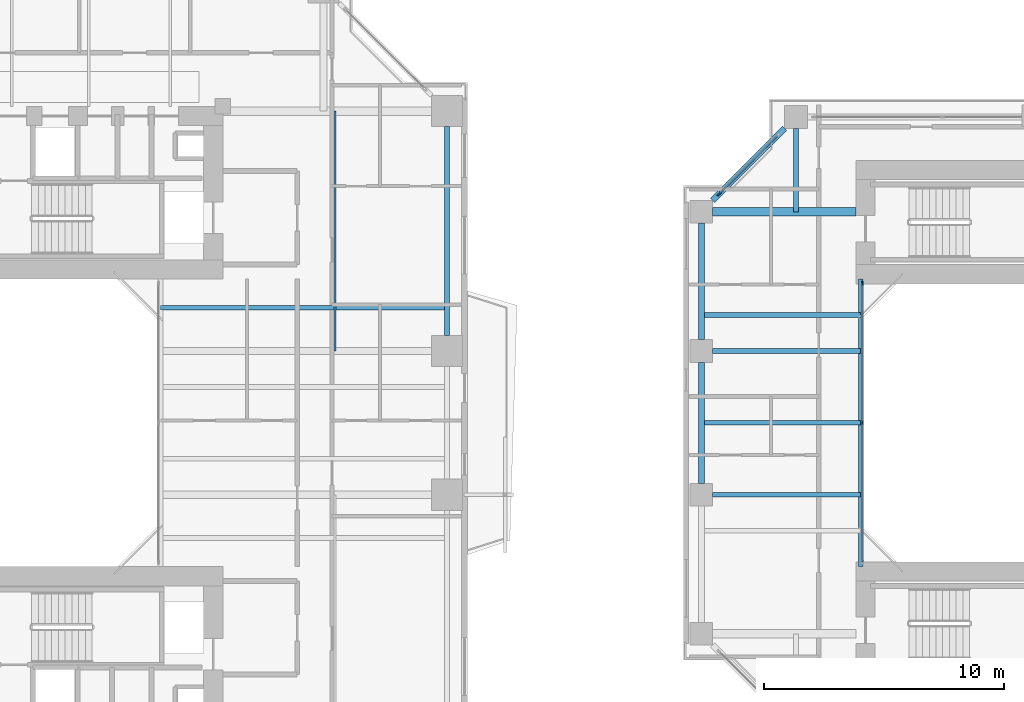
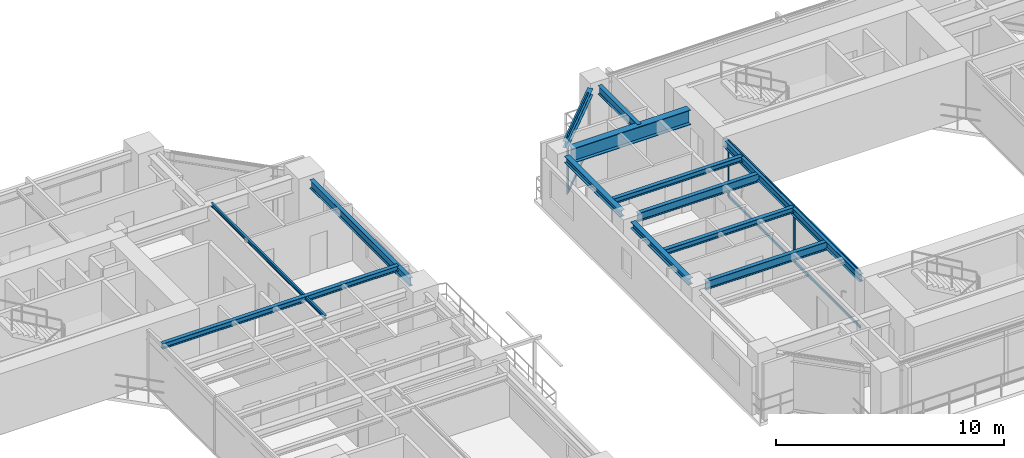
# One storey, part 8 of 24: 13 beams, 9 members, 2 elements without a shape of their own.
"""IFC4 building model written with IfcOpenShell, lengths in metres."""

from ifc_helpers import new_model, si_unit, direction, frame, origin, origin_2d, place, context, subcontext, project, spatial, rectangle, i_section, extrude, source, transform, mapped, material, layer, layer_set, material_profile, profile_set, type_object, element, aggregate, save


model = new_model("IFC4")

# Units and contexts
model_context = context("Model", 3, precision=1e-05, world=origin(), true_north=direction((0.0, 1.0)))
body_context = subcontext(model_context, "Body", "Model", "MODEL_VIEW")
ifc_project = project(units=[si_unit("LENGTHUNIT", "METRE"), si_unit("AREAUNIT", "SQUARE_METRE"), si_unit("VOLUMEUNIT", "CUBIC_METRE"), si_unit("PLANEANGLEUNIT", "RADIAN"), si_unit("MASSUNIT", "GRAM", prefix="KILO"), si_unit("THERMODYNAMICTEMPERATUREUNIT", "KELVIN"), si_unit("POWERUNIT", "WATT")], contexts=[model_context])

# Site, building, storey
site_placement = place(None, origin())
site = spatial("IfcSite", under=ifc_project, at=site_placement, CompositionType="ELEMENT")
building_placement = place(site_placement, origin())
building = spatial("IfcBuilding", under=site, at=building_placement, Name="Qiaomeng Ring Towers", CompositionType="ELEMENT")
storey_placement = place(building_placement, frame((0.0, 0.0, 42.5)))
storey = spatial("IfcBuildingStorey", under=building, at=storey_placement, Name="L11", CompositionType="ELEMENT", Elevation=42.5)

# Beams
ifc_material_1 = material(Name="Steel Q355B", Category="steel")
ifc_material_profile_1 = material_profile(ifc_material_1, i_section(OverallWidth=0.199951171875, OverallDepth=0.449951171875, WebThickness=0.009033203125, FlangeThickness=0.013916015625, FilletRadius=0.01806640625, at=origin_2d()), Name="HN 450x200x9x14")
ifc_profile_set_1 = profile_set([ifc_material_profile_1], Name="Steel Q355B")
beam_type_1 = type_object("IfcBeamType", Name="STR-BM-HN450", PredefinedType="SPANDREL", material=ifc_profile_set_1)
shared_shape_1 = source(origin(), body_context, "Body", "SweptSolid", [
    extrude(i_section(OverallWidth=0.199951171875, OverallDepth=0.449951171875, WebThickness=0.009033203125, FlangeThickness=0.013916015625, FilletRadius=0.01806640625, at=origin_2d()), origin(), (0.0, 0.0, 1.0), 8.7021484375),
])
beam_1_placement = place(storey_placement, frame((37.14990234375, 26.64892578125, 2.804931640625), z_axis=(0.0, 1.0, 0.0), x_axis=(-1.0, 0.0, 0.0)))
element("IfcBeam", 1, at=beam_1_placement, inside=storey, type_object=beam_type_1, Name="L11 beam STR-SP-L11-T1-E3-E4", PredefinedType="SPANDREL", context=body_context, shape_type="MappedRepresentation", body=[
    mapped(shared_shape_1, transform((0.0, 0.0, 0.0), x_axis=(1.0, 0.0, 0.0), y_axis=(0.0, 1.0, 0.0), z_axis=(0.0, 0.0, 1.0), scale=1.0)),
])
ifc_material_profile_2 = material_profile(ifc_material_1, i_section(OverallWidth=0.199951171875, OverallDepth=0.2939453125, WebThickness=0.008056640625, FlangeThickness=0.011962890625, FilletRadius=0.01806640625, at=origin_2d()), Name="HM 294x200x8x12")
ifc_profile_set_2 = profile_set([ifc_material_profile_2], Name="Steel Q355B")
beam_type_2 = type_object("IfcBeamType", Name="STR-BM-HM294", PredefinedType="JOIST", material=ifc_profile_set_2)
shared_shape_2 = source(origin(), body_context, "Body", "SweptSolid", [
    extrude(i_section(OverallWidth=0.199951171875, OverallDepth=0.2939453125, WebThickness=0.008056640625, FlangeThickness=0.011962890625, FilletRadius=0.01806640625, at=origin_2d()), origin(), (0.0, 0.0, 1.0), 11.949951171875),
])
beam_2_placement = place(storey_placement, frame((25.199951171875, 27.800048828125, 2.883056640625), z_axis=(1.0, 0.0, 0.0), x_axis=(0.0, 1.0, 0.0)))
element("IfcBeam", 2, at=beam_2_placement, inside=storey, type_object=beam_type_2, Name="L11 beam STR-JST-L11-T1E-4", PredefinedType="JOIST", context=body_context, shape_type="MappedRepresentation", body=[
    mapped(shared_shape_2, transform((0.0, 0.0, 0.0), x_axis=(1.0, 0.0, 0.0), y_axis=(0.0, 1.0, 0.0), z_axis=(0.0, 0.0, 1.0), scale=1.0)),
])
ifc_material_profile_3 = material_profile(ifc_material_1, i_section(OverallWidth=0.10009765625, OverallDepth=0.199951171875, WebThickness=0.005615234375, FlangeThickness=0.008056640625, FilletRadius=0.010986328125, at=origin_2d()), Name="HN 200x100x5.5x8")
ifc_profile_set_3 = profile_set([ifc_material_profile_3], Name="Steel Q355B")
beam_type_3 = type_object("IfcBeamType", Name="STR-BM-HN200", PredefinedType="JOIST", material=ifc_profile_set_3)
shared_shape_3 = source(origin(), body_context, "Body", "SweptSolid", [
    extrude(i_section(OverallWidth=0.10009765625, OverallDepth=0.199951171875, WebThickness=0.005615234375, FlangeThickness=0.008056640625, FilletRadius=0.010986328125, at=origin_2d()), origin(), (0.0, 0.0, 1.0), 10.0),
])
beam_3_placement = place(storey_placement, frame((32.47509765625, 26.0, 2.929931640625), z_axis=(0.0, 1.0, 0.0), x_axis=(-1.0, 0.0, 0.0)))
element("IfcBeam", 3, at=beam_3_placement, inside=storey, type_object=beam_type_3, Name="L11 beam STR-JST-L11-T1C-EN", PredefinedType="JOIST", context=body_context, shape_type="MappedRepresentation", body=[
    mapped(shared_shape_3, transform((0.0, 0.0, 0.0), x_axis=(1.0, 0.0, 0.0), y_axis=(0.0, 1.0, 0.0), z_axis=(0.0, 0.0, 1.0), scale=1.0)),
])
ifc_material_profile_4 = material_profile(ifc_material_1, i_section(OverallWidth=0.25, OverallDepth=0.340087890625, WebThickness=0.009033203125, FlangeThickness=0.013916015625, FilletRadius=0.02001953125, at=origin_2d()), Name="HM 340x250x9x14")
ifc_profile_set_4 = profile_set([ifc_material_profile_4], Name="Steel Q355B")
beam_type_4 = type_object("IfcBeamType", Name="STR-BM-HM340", PredefinedType="SPANDREL", material=ifc_profile_set_4)
shared_shape_4 = source(origin(), body_context, "Body", "SweptSolid", [
    extrude(i_section(OverallWidth=0.25, OverallDepth=0.340087890625, WebThickness=0.009033203125, FlangeThickness=0.013916015625, FilletRadius=0.02001953125, at=origin_2d()), origin(), (0.0, 0.0, 1.0), 4.244384765625),
])
beam_4_placement = place(storey_placement, frame((51.2255859375, 35.275634765625, 2.860107421875), z_axis=(-0.707106781187, -0.707106781187, 0.0), x_axis=(0.707106781187, -0.707106781187, 0.0)))
element("IfcBeam", 4, at=beam_4_placement, inside=storey, type_object=beam_type_4, Name="L11 beam STR-SP-L11-T2-N1-W4", PredefinedType="SPANDREL", context=body_context, shape_type="MappedRepresentation", body=[
    mapped(shared_shape_4, transform((0.0, 0.0, 0.0), x_axis=(1.0, 0.0, 0.0), y_axis=(0.0, 1.0, 0.0), z_axis=(0.0, 0.0, 1.0), scale=1.0)),
])
shared_shape_5 = source(origin(), body_context, "Body", "SweptSolid", [
    extrude(i_section(OverallWidth=0.25, OverallDepth=0.340087890625, WebThickness=0.009033203125, FlangeThickness=0.013916015625, FilletRadius=0.02001953125, at=origin_2d()), origin(), (0.0, 0.0, 1.0), 4.851806640625),
])
beam_5_placement = place(storey_placement, frame((47.75, 31.325927734375, 2.860107421875), z_axis=(0.0, -1.0, 0.0), x_axis=(1.0, 0.0, 0.0)))
element("IfcBeam", 5, at=beam_5_placement, inside=storey, type_object=beam_type_4, Name="L11 beam STR-SP-L11-T2-W4-W3", PredefinedType="SPANDREL", context=body_context, shape_type="MappedRepresentation", body=[
    mapped(shared_shape_5, transform((0.0, 0.0, 0.0), x_axis=(1.0, 0.0, 0.0), y_axis=(0.0, 1.0, 0.0), z_axis=(0.0, 0.0, 1.0), scale=1.0)),
])
shared_shape_6 = source(origin(), body_context, "Body", "SweptSolid", [
    extrude(i_section(OverallWidth=0.25, OverallDepth=0.340087890625, WebThickness=0.009033203125, FlangeThickness=0.013916015625, FilletRadius=0.02001953125, at=origin_2d()), origin(), (0.0, 0.0, 1.0), 5.0517578125),
])
beam_6_placement = place(storey_placement, frame((47.75, 25.52587890625, 2.860107421875), z_axis=(0.0, -1.0, 0.0), x_axis=(1.0, 0.0, 0.0)))
element("IfcBeam", 6, at=beam_6_placement, inside=storey, type_object=beam_type_4, Name="L11 beam STR-SP-L11-T2-W3-W2", PredefinedType="SPANDREL", context=body_context, shape_type="MappedRepresentation", body=[
    mapped(shared_shape_6, transform((0.0, 0.0, 0.0), x_axis=(1.0, 0.0, 0.0), y_axis=(0.0, 1.0, 0.0), z_axis=(0.0, 0.0, 1.0), scale=1.0)),
])
ifc_material_profile_5 = material_profile(ifc_material_1, i_section(OverallWidth=0.199951171875, OverallDepth=0.39990234375, WebThickness=0.008056640625, FlangeThickness=0.012939453125, FilletRadius=0.01611328125, at=origin_2d()), Name="HN 400x200x8x13")
ifc_profile_set_5 = profile_set([ifc_material_profile_5], Name="Steel Q355B")
beam_type_5 = type_object("IfcBeamType", Name="STR-BM-HN400", PredefinedType="SPANDREL", material=ifc_profile_set_5)
shared_shape_7 = source(origin(), body_context, "Body", "SweptSolid", [
    extrude(i_section(OverallWidth=0.199951171875, OverallDepth=0.39990234375, WebThickness=0.008056640625, FlangeThickness=0.012939453125, FilletRadius=0.01611328125, at=origin_2d()), origin(), (0.0, 0.0, 1.0), 12.0),
])
beam_7_placement = place(storey_placement, frame((54.39990234375, 17.0, 2.830078125), z_axis=(0.0, 1.0, 0.0), x_axis=(-1.0, 0.0, 0.0)))
element("IfcBeam", 7, at=beam_7_placement, inside=storey, type_object=beam_type_5, Name="L11 beam STR-BM-L11-T2-WELL-W", PredefinedType="SPANDREL", context=body_context, shape_type="MappedRepresentation", body=[
    mapped(shared_shape_7, transform((0.0, 0.0, 0.0), x_axis=(1.0, 0.0, 0.0), y_axis=(0.0, 1.0, 0.0), z_axis=(0.0, 0.0, 1.0), scale=1.0)),
])
ifc_material_2 = material(Name="Steel Q390GJC", Category="steel")
ifc_material_profile_6 = material_profile(ifc_material_2, i_section(OverallWidth=0.35009765625, OverallDepth=0.800048828125, WebThickness=0.01611328125, FlangeThickness=0.028076171875, at=origin_2d()), Name="WH 800x350x16x28")
ifc_profile_set_6 = profile_set([ifc_material_profile_6], Name="Steel Q390GJC")
beam_type_6 = type_object("IfcBeamType", Name="STR-BM-WH800", PredefinedType="BEAM", material=ifc_profile_set_6)
shared_shape_8 = source(origin(), body_context, "Body", "SweptSolid", [
    extrude(i_section(OverallWidth=0.35009765625, OverallDepth=0.800048828125, WebThickness=0.01611328125, FlangeThickness=0.028076171875, at=origin_2d()), origin(), (0.0, 0.0, 1.0), 5.975830078125),
])
beam_8_placement = place(storey_placement, frame((48.22412109375, 31.800048828125, 2.6298828125), z_axis=(1.0, 0.0, 0.0), x_axis=(0.0, 1.0, 0.0)))
element("IfcBeam", 8, at=beam_8_placement, inside=storey, type_object=beam_type_6, Name="L11 beam STR-BM-L11-T2-RAD-W4", PredefinedType="BEAM", context=body_context, shape_type="MappedRepresentation", body=[
    mapped(shared_shape_8, transform((0.0, 0.0, 0.0), x_axis=(1.0, 0.0, 0.0), y_axis=(0.0, 1.0, 0.0), z_axis=(0.0, 0.0, 1.0), scale=1.0)),
])
shared_shape_9 = source(origin(), body_context, "Body", "SweptSolid", [
    extrude(i_section(OverallWidth=0.199951171875, OverallDepth=0.449951171875, WebThickness=0.009033203125, FlangeThickness=0.013916015625, FilletRadius=0.01806640625, at=origin_2d()), origin(), (0.0, 0.0, 1.0), 6.17578125),
])
for number, where, z_axis, x_axis, name in (
    (9, (48.22412109375, 20.0, 2.804931640625), (1.0, 0.0, 0.0), (0.0, 1.0, 0.0), "L11 beam STR-BM-L11-T2-RAD-W2"),
    (10, (48.22412109375, 26.0, 2.804931640625), (1.0, 0.0, 0.0), (0.0, 1.0, 0.0), "L11 beam STR-BM-L11-T2-RAD-W3"),
):
    element("IfcBeam", number, at=place(storey_placement, frame(where, z_axis=z_axis, x_axis=x_axis)), inside=storey, type_object=beam_type_1, Name=name, PredefinedType="SPANDREL", context=body_context, shape_type="MappedRepresentation", body=[
        mapped(shared_shape_9, transform((0.0, 0.0, 0.0), x_axis=(1.0, 0.0, 0.0), y_axis=(0.0, 1.0, 0.0), z_axis=(0.0, 0.0, 1.0), scale=1.0)),
    ])
shared_shape_10 = source(origin(), body_context, "Body", "SweptSolid", [
    extrude(i_section(OverallWidth=0.199951171875, OverallDepth=0.449951171875, WebThickness=0.009033203125, FlangeThickness=0.013916015625, FilletRadius=0.01806640625, at=origin_2d()), origin(), (0.0, 0.0, 1.0), 3.475830078125),
])
beam_9_placement = place(storey_placement, frame((51.699951171875, 35.27587890625, 2.804931640625), z_axis=(0.0, -1.0, 0.0), x_axis=(1.0, 0.0, 0.0)))
element("IfcBeam", 11, at=beam_9_placement, inside=storey, type_object=beam_type_1, Name="L11 beam STR-BM-L11-T2-RAD-N1", PredefinedType="SPANDREL", context=body_context, shape_type="MappedRepresentation", body=[
    mapped(shared_shape_10, transform((0.0, 0.0, 0.0), x_axis=(1.0, 0.0, 0.0), y_axis=(0.0, 1.0, 0.0), z_axis=(0.0, 0.0, 1.0), scale=1.0)),
])
shared_shape_11 = source(origin(), body_context, "Body", "SweptSolid", [
    extrude(i_section(OverallWidth=0.199951171875, OverallDepth=0.2939453125, WebThickness=0.008056640625, FlangeThickness=0.011962890625, FilletRadius=0.01806640625, at=origin_2d()), origin(), (0.0, 0.0, 1.0), 6.64990234375),
])
for number, where, z_axis, x_axis, name in (
    (12, (47.75, 23.0, 2.883056640625), (1.0, 0.0, 0.0), (0.0, 1.0, 0.0), "L11 beam STR-JST-L11-T2W-2"),
    (13, (47.75, 27.5, 2.883056640625), (1.0, 0.0, 0.0), (0.0, 1.0, 0.0), "L11 beam STR-JST-L11-T2W-3"),
):
    element("IfcBeam", number, at=place(storey_placement, frame(where, z_axis=z_axis, x_axis=x_axis)), inside=storey, type_object=beam_type_2, Name=name, PredefinedType="JOIST", context=body_context, shape_type="MappedRepresentation", body=[
        mapped(shared_shape_11, transform((0.0, 0.0, 0.0), x_axis=(1.0, 0.0, 0.0), y_axis=(0.0, 1.0, 0.0), z_axis=(0.0, 0.0, 1.0), scale=1.0)),
    ])

# Curtain wall, members
ifc_material_3 = material(Name="Fluorocarbon dark-grey aluminium", Category="aluminium")
ifc_layer_1 = layer(ifc_material_3, 0.139892578125, Name="Fluorocarbon dark-grey aluminium")
ifc_layer_set_1 = layer_set([ifc_layer_1], Name="Fluorocarbon dark-grey aluminium")
curtain_wall_type_1 = type_object("IfcCurtainWallType", Name="ARC-CW-4", PredefinedType="NOTDEFINED", material=ifc_layer_set_1)
curtain_wall_1_placement = place(storey_placement, origin())
curtain_wall_1 = element("IfcCurtainWall", 14, at=curtain_wall_1_placement, inside=storey, type_object=curtain_wall_type_1, Name="L11 Curtain Wall CW4", PredefinedType="NOTDEFINED")
ifc_material_profile_7 = material_profile(ifc_material_3, rectangle(XDim=0.06494140625, YDim=0.1298828125, at=origin_2d()), Name="ALU TRAN 65x130")
ifc_profile_set_7 = profile_set([ifc_material_profile_7], Name="Fluorocarbon dark-grey aluminium")
member_type_1 = type_object("IfcMemberType", Name="ARC-CWT-120", PredefinedType="USERDEFINED", material=ifc_profile_set_7)
shared_shape_12 = source(origin(), body_context, "Body", "SweptSolid", [
    extrude(rectangle(XDim=0.06494140625, YDim=0.1298828125, at=origin_2d()), origin(), (0.0, 0.0, 1.0), 5.75244140625),
])
member_1_placement = place(storey_placement, frame((54.47998046875, 17.215087890625, 0.032470703125), z_axis=(0.0, 1.0, 0.0), x_axis=(-1.0, 0.0, 0.0)))
member_1 = element("IfcMember", 15, at=member_1_placement, type_object=member_type_1, Name="CW4 transom 1.1", ObjectType="TRANSOM", PredefinedType="USERDEFINED", context=body_context, shape_type="MappedRepresentation", body=[
    mapped(shared_shape_12, transform((0.0, 0.0, 0.0), x_axis=(1.0, 0.0, 0.0), y_axis=(0.0, 1.0, 0.0), z_axis=(0.0, 0.0, 1.0), scale=1.0)),
])
member_2_placement = place(storey_placement, frame((54.47998046875, 17.215087890625, 2.99755859375), z_axis=(0.0, 1.0, 0.0), x_axis=(-1.0, 0.0, 0.0)))
member_2 = element("IfcMember", 16, at=member_2_placement, type_object=member_type_1, Name="CW4 transom 1.2", ObjectType="TRANSOM", PredefinedType="USERDEFINED", context=body_context, shape_type="MappedRepresentation", body=[
    mapped(shared_shape_12, transform((0.0, 0.0, 0.0), x_axis=(1.0, 0.0, 0.0), y_axis=(0.0, 1.0, 0.0), z_axis=(0.0, 0.0, 1.0), scale=1.0)),
])
member_3_placement = place(storey_placement, frame((54.47998046875, 23.032470703125, 0.032470703125), z_axis=(0.0, 1.0, 0.0), x_axis=(-1.0, 0.0, 0.0)))
member_3 = element("IfcMember", 17, at=member_3_placement, type_object=member_type_1, Name="CW4 transom 2.1", ObjectType="TRANSOM", PredefinedType="USERDEFINED", context=body_context, shape_type="MappedRepresentation", body=[
    mapped(shared_shape_12, transform((0.0, 0.0, 0.0), x_axis=(1.0, 0.0, 0.0), y_axis=(0.0, 1.0, 0.0), z_axis=(0.0, 0.0, 1.0), scale=1.0)),
])
member_4_placement = place(storey_placement, frame((54.47998046875, 23.032470703125, 2.99755859375), z_axis=(0.0, 1.0, 0.0), x_axis=(-1.0, 0.0, 0.0)))
member_4 = element("IfcMember", 18, at=member_4_placement, type_object=member_type_1, Name="CW4 transom 2.2", ObjectType="TRANSOM", PredefinedType="USERDEFINED", context=body_context, shape_type="MappedRepresentation", body=[
    mapped(shared_shape_12, transform((0.0, 0.0, 0.0), x_axis=(1.0, 0.0, 0.0), y_axis=(0.0, 1.0, 0.0), z_axis=(0.0, 0.0, 1.0), scale=1.0)),
])

ifc_layer_2 = layer(ifc_material_3, 0.14990234375, Name="Fluorocarbon dark-grey aluminium")
ifc_layer_set_2 = layer_set([ifc_layer_2], Name="Fluorocarbon dark-grey aluminium")
curtain_wall_type_2 = type_object("IfcCurtainWallType", Name="ARC-CW-5", PredefinedType="NOTDEFINED", material=ifc_layer_set_2)
curtain_wall_2_placement = place(storey_placement, origin())
curtain_wall_2 = element("IfcCurtainWall", 19, at=curtain_wall_2_placement, inside=storey, type_object=curtain_wall_type_2, Name="L11 Curtain Wall CW5", PredefinedType="NOTDEFINED")
shared_shape_13 = source(origin(), body_context, "Body", "SweptSolid", [
    extrude(rectangle(XDim=0.06494140625, YDim=0.1298828125, at=origin_2d()), origin(), (0.0, 0.0, 1.0), 3.424072265625),
])
member_5_placement = place(storey_placement, frame((50.935546875, 34.985595703125, 0.032470703125), z_axis=(-0.707106781187, -0.707106781187, 0.0), x_axis=(0.707106781187, -0.707106781187, 0.0)))
member_5 = element("IfcMember", 20, at=member_5_placement, type_object=member_type_1, Name="CW5 transom 1.1", ObjectType="TRANSOM", PredefinedType="USERDEFINED", context=body_context, shape_type="MappedRepresentation", body=[
    mapped(shared_shape_13, transform((0.0, 0.0, 0.0), x_axis=(1.0, 0.0, 0.0), y_axis=(0.0, 1.0, 0.0), z_axis=(0.0, 0.0, 1.0), scale=1.0)),
])
member_6_placement = place(storey_placement, frame((50.935546875, 34.985595703125, 2.99755859375), z_axis=(-0.707106781187, -0.707106781187, 0.0), x_axis=(0.707106781187, -0.707106781187, 0.0)))
member_6 = element("IfcMember", 21, at=member_6_placement, type_object=member_type_1, Name="CW5 transom 1.2", ObjectType="TRANSOM", PredefinedType="USERDEFINED", context=body_context, shape_type="MappedRepresentation", body=[
    mapped(shared_shape_13, transform((0.0, 0.0, 0.0), x_axis=(1.0, 0.0, 0.0), y_axis=(0.0, 1.0, 0.0), z_axis=(0.0, 0.0, 1.0), scale=1.0)),
])

# Member
ifc_material_profile_8 = material_profile(ifc_material_3, rectangle(XDim=0.06494140625, YDim=0.159912109375, at=origin_2d()), Name="ALU MULL 65x160")
ifc_profile_set_8 = profile_set([ifc_material_profile_8], Name="Fluorocarbon dark-grey aluminium")
member_type_2 = type_object("IfcMemberType", Name="ARC-CWM-140", PredefinedType="MULLION", material=ifc_profile_set_8)
shared_shape_14 = source(origin(), body_context, "Body", "SweptSolid", [
    extrude(rectangle(XDim=0.06494140625, YDim=0.159912109375, at=origin_2d()), origin(), (0.0, 0.0, 1.0), 3.030029296875),
])
member_7_placement = place(storey_placement, frame((54.47998046875, 23.0, 0.0), z_axis=(0.0, 0.0, 1.0), x_axis=(-1.0, 0.0, 0.0)))
member_7 = element("IfcMember", 22, at=member_7_placement, type_object=member_type_2, Name="CW4 mullion 2", PredefinedType="MULLION", context=body_context, shape_type="MappedRepresentation", body=[
    mapped(shared_shape_14, transform((0.0, 0.0, 0.0), x_axis=(1.0, 0.0, 0.0), y_axis=(0.0, 1.0, 0.0), z_axis=(0.0, 0.0, 1.0), scale=1.0)),
])

member_8_placement = place(storey_placement, frame((54.47998046875, 28.8173828125, 0.0), z_axis=(0.0, 0.0, 1.0), x_axis=(-1.0, 0.0, 0.0)))
member_8 = element("IfcMember", 23, at=member_8_placement, type_object=member_type_2, Name="CW4 mullion 3", PredefinedType="MULLION", context=body_context, shape_type="MappedRepresentation", body=[
    mapped(shared_shape_14, transform((0.0, 0.0, 0.0), x_axis=(1.0, 0.0, 0.0), y_axis=(0.0, 1.0, 0.0), z_axis=(0.0, 0.0, 1.0), scale=1.0)),
])

aggregate(curtain_wall_1, [member_7, member_8, member_1, member_2, member_3, member_4])

ifc_material_profile_9 = material_profile(ifc_material_3, rectangle(XDim=0.070068359375, YDim=0.179931640625, at=origin_2d()), Name="ALU MULL 70x180")
ifc_profile_set_9 = profile_set([ifc_material_profile_9], Name="Fluorocarbon dark-grey aluminium")
member_type_3 = type_object("IfcMemberType", Name="ARC-CWM-160", PredefinedType="MULLION", material=ifc_profile_set_9)
shared_shape_15 = source(origin(), body_context, "Body", "SweptSolid", [
    extrude(rectangle(XDim=0.070068359375, YDim=0.179931640625, at=origin_2d()), origin(), (0.0, 0.0, 1.0), 3.030029296875),
])
member_9_placement = place(storey_placement, frame((48.48974609375, 32.539794921875, 0.0), z_axis=(0.0, 0.0, 1.0), x_axis=(0.707106781187, -0.707106781187, 0.0)))
member_9 = element("IfcMember", 24, at=member_9_placement, type_object=member_type_3, Name="CW5 mullion 2", PredefinedType="MULLION", context=body_context, shape_type="MappedRepresentation", body=[
    mapped(shared_shape_15, transform((0.0, 0.0, 0.0), x_axis=(1.0, 0.0, 0.0), y_axis=(0.0, 1.0, 0.0), z_axis=(0.0, 0.0, 1.0), scale=1.0)),
])

aggregate(curtain_wall_2, [member_9, member_5, member_6])

save(model, "model.ifc")
